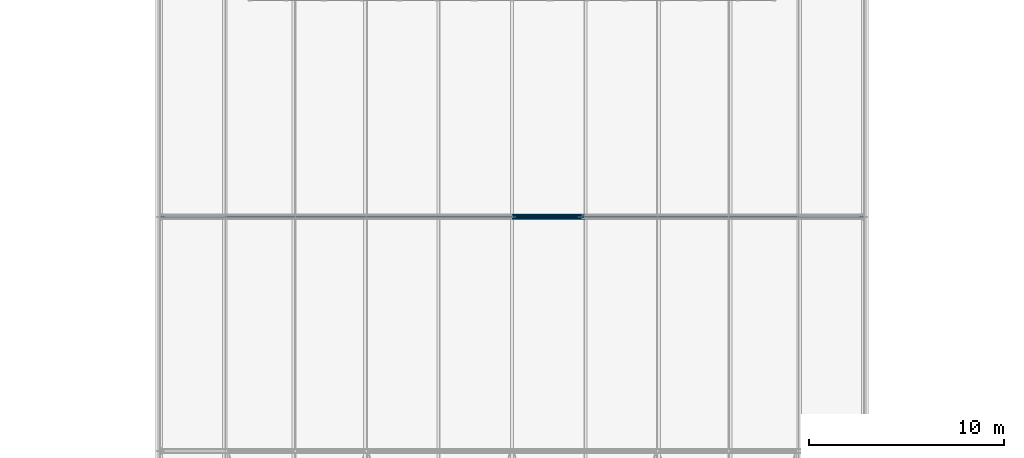
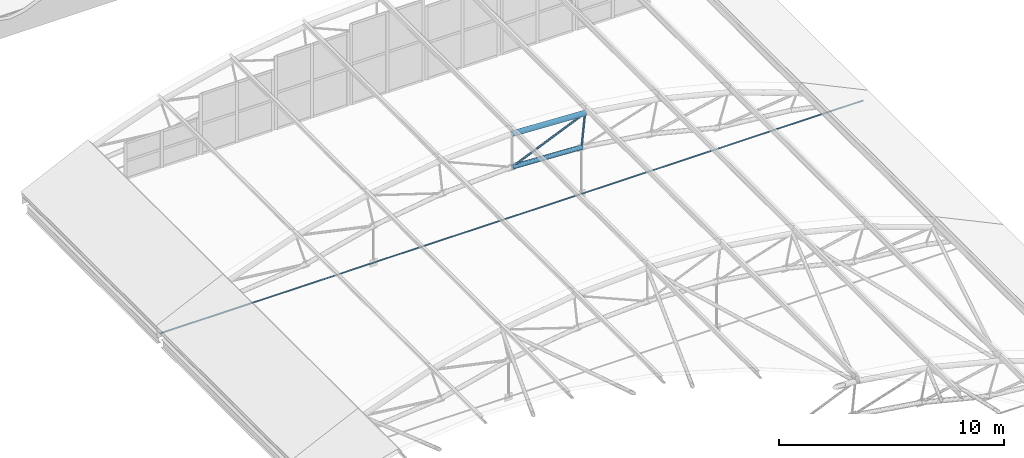
# One storey, part 220 of 321: 5 members.
"""IFC4 building model written with IfcOpenShell, lengths in metres."""

from ifc_helpers import new_model, si_unit, direction, frame, origin, origin_2d, place, context, subcontext, project, spatial, circle, hollow_circle, extrude, material, material_profile, profile_set, type_object, element, save


model = new_model("IFC4")

# Units and contexts
model_context = context("Model", 3, precision=1e-05, world=origin(), true_north=direction((0.0, 1.0)))
body_context = subcontext(model_context, "Body", "Model", "MODEL_VIEW")
ifc_project = project(units=[si_unit("LENGTHUNIT", "METRE"), si_unit("AREAUNIT", "SQUARE_METRE"), si_unit("VOLUMEUNIT", "CUBIC_METRE"), si_unit("PLANEANGLEUNIT", "RADIAN"), si_unit("MASSUNIT", "GRAM", prefix="KILO")], contexts=[model_context])

# Site, building, storey
site_placement = place(None, origin())
site = spatial("IfcSite", under=ifc_project, at=site_placement, CompositionType="ELEMENT")
building_placement = place(site_placement, origin())
building = spatial("IfcBuilding", under=site, at=building_placement, Name="Ravi Spectrum Wholesale Market", CompositionType="ELEMENT")
storey_placement = place(building_placement, frame((0.0, 0.0, 10.800048828125)))
storey = spatial("IfcBuildingStorey", under=building, at=storey_placement, Name="L02", CompositionType="ELEMENT", Elevation=10.800048828125)

# Members
ifc_material_1 = material(Name="Steel S355", Category="steel")
ifc_material_profile_1 = material_profile(ifc_material_1, hollow_circle(Radius=0.05712890625, WallThickness=0.00390625, at=origin_2d()))
ifc_profile_set_1 = profile_set([ifc_material_profile_1], Name="Steel S355")
member_type_1 = type_object("IfcMemberType", Name="CHS 114.3x4 brace", PredefinedType="BRACE", material=ifc_profile_set_1)
member_1_placement = place(storey_placement, frame((183.7421875, 174.0, 4.31640625), z_axis=(-0.918016770488, 0.0, -0.396541560373), x_axis=(0.0, -1.0, 0.0)))
element("IfcMember", 1, at=member_1_placement, inside=storey, type_object=member_type_1, Name="H3-MB-L02-154", PredefinedType="BRACE", context=body_context, shape_type="SweptSolid", body=[
    extrude(hollow_circle(Radius=0.05712890625, WallThickness=0.00390625, at=origin_2d()), origin(), (0.0, 0.0, 1.0), 4.076416015625),
])
ifc_material_2 = material(Name="Steel S355", Category="steel")
ifc_material_profile_2 = material_profile(ifc_material_2, hollow_circle(Radius=0.05712890625, WallThickness=0.00390625, at=origin_2d()))
ifc_profile_set_2 = profile_set([ifc_material_profile_2], Name="Steel S355")
member_type_2 = type_object("IfcMemberType", Name="CHS 114.3x4 post", PredefinedType="POST", material=ifc_profile_set_2)
member_2_placement = place(storey_placement, frame((183.7421875, 174.0, 4.31640625), z_axis=(-0.097797973815, 0.0, -0.995206288323), x_axis=(0.0, -1.0, 0.0)))
element("IfcMember", 2, at=member_2_placement, inside=storey, type_object=member_type_2, Name="H3-MB-L02-146", PredefinedType="POST", context=body_context, shape_type="SweptSolid", body=[
    extrude(hollow_circle(Radius=0.05712890625, WallThickness=0.00390625, at=origin_2d()), origin(), (0.0, 0.0, 1.0), 1.7998046875),
])
ifc_material_3 = material(Name="Steel S355", Category="steel")
ifc_material_profile_3 = material_profile(ifc_material_3, hollow_circle(Radius=0.122314453125, WallThickness=0.008056640625, at=origin_2d()))
ifc_profile_set_3 = profile_set([ifc_material_profile_3], Name="Steel S355")
member_type_3 = type_object("IfcMemberType", Name="CHS 244.5x8 chord", PredefinedType="CHORD", material=ifc_profile_set_3)
member_3_placement = place(storey_placement, frame((180.0, 174.0, 2.699951171875), z_axis=(0.998800798306, 0.0, -0.048958812322), x_axis=(0.0, 1.0, 0.0)))
element("IfcMember", 3, at=member_3_placement, inside=storey, type_object=member_type_3, Name="H3-MB-L02-136", PredefinedType="CHORD", context=body_context, shape_type="SweptSolid", body=[
    extrude(hollow_circle(Radius=0.122314453125, WallThickness=0.008056640625, at=origin_2d()), origin(), (0.0, 0.0, 1.0), 3.570556640625),
])
ifc_material_4 = material(Name="Steel S355", Category="steel")
ifc_material_profile_4 = material_profile(ifc_material_4, hollow_circle(Radius=0.136474609375, WallThickness=0.010009765625, at=origin_2d()))
ifc_profile_set_4 = profile_set([ifc_material_profile_4], Name="Steel S355")
member_type_4 = type_object("IfcMemberType", Name="CHS 273x10 chord", PredefinedType="CHORD", material=ifc_profile_set_4)
member_4_placement = place(storey_placement, frame((180.0, 174.0, 4.5), z_axis=(0.998798699726, 0.0, -0.049001606354), x_axis=(0.0, 1.0, 0.0)))
element("IfcMember", 4, at=member_4_placement, inside=storey, type_object=member_type_4, Name="H3-MB-L02-126", PredefinedType="CHORD", context=body_context, shape_type="SweptSolid", body=[
    extrude(hollow_circle(Radius=0.136474609375, WallThickness=0.010009765625, at=origin_2d()), origin(), (0.0, 0.0, 1.0), 3.74658203125),
])
ifc_material_5 = material(Name="Steel S460", Category="steel")
ifc_material_profile_5 = material_profile(ifc_material_5, circle(Radius=0.030029296875, at=origin_2d()))
ifc_profile_set_5 = profile_set([ifc_material_profile_5], Name="Steel S460")
member_type_5 = type_object("IfcMemberType", Name="ROD 60 tie", PredefinedType="BRACE", material=ifc_profile_set_5)
member_5_placement = place(storey_placement, frame((162.0, 174.0, 0.0), z_axis=(1.0, 0.0, 0.0), x_axis=(0.0, 1.0, 0.0)))
element("IfcMember", 5, at=member_5_placement, inside=storey, type_object=member_type_5, Name="H3-MB-L02-158", PredefinedType="BRACE", context=body_context, shape_type="SweptSolid", body=[
    extrude(circle(Radius=0.030029296875, at=origin_2d()), origin(), (0.0, 0.0, 1.0), 36.0),
])

save(model, "model.ifc")
